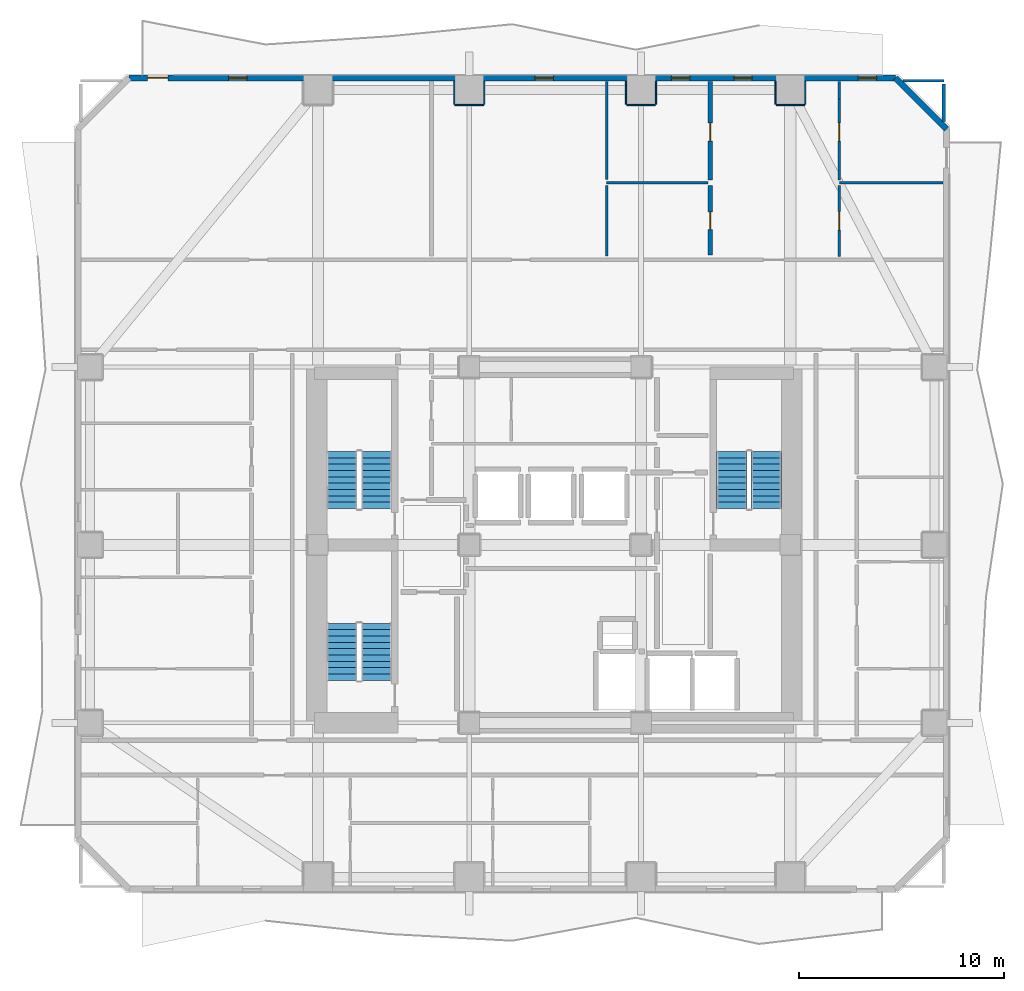
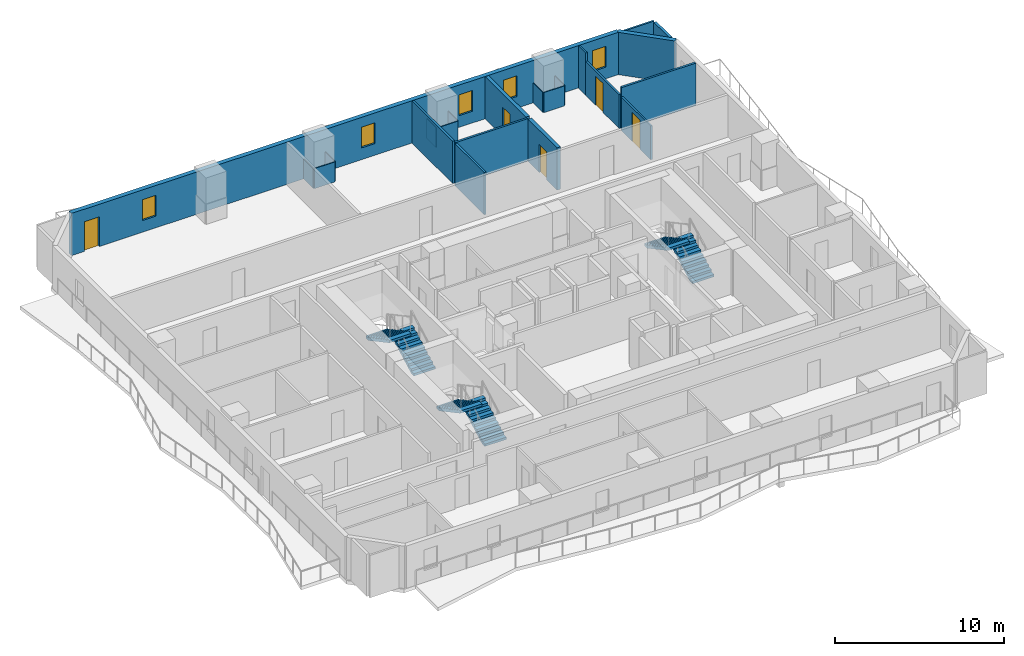
# One storey, part 6 of 10: 22 walls, 6 stair flights, 5 doors, 5 windows, 10 openings, 3 elements without a shape of their own.
"""IFC4 building model written with IfcOpenShell, lengths in metres."""

import ifcopenshell
import ifcopenshell.guid

model = None  # the IFC model being written
_history = None  # IfcOwnerHistory: only IFC2X3 demands one
_inside = {}  # id of a spatial element -> (the spatial element, [elements in it])
_under = {}  # id of a project, library or spatial element -> (it, [spatial elements below it])
_declared = {}  # id of a project -> (the project, [libraries it declares])
_typed = {}  # id of a type object -> (the type object, [elements of that type])
_made_of = {}  # id of a material, layer set ... -> (it, [elements and type objects made of it])


def new_model(schema):
    """Start an empty IFC model of exactly this schema.

    Asked for "IFC4X3", IfcOpenShell would pick the latest addendum, in which some entities
    have other attributes; the version numbers below select the first issue.
    IFC2X3 requires an IfcOwnerHistory on every rooted entity: one is made here for all.
    """
    global model, _history
    if schema == "IFC4X3":
        model = ifcopenshell.file(schema_version=(4, 3, 0, 0))
    else:
        model = ifcopenshell.file(schema=schema)
    _inside.clear()
    _under.clear()
    _declared.clear()
    _typed.clear()
    _made_of.clear()
    _history = None
    if model.schema == "IFC2X3":
        org = make("IfcOrganization", Name="unknown")
        user = make(
            "IfcPersonAndOrganization",
            ThePerson=make("IfcPerson", FamilyName="unknown"),
            TheOrganization=org,
        )
        app = make(
            "IfcApplication",
            ApplicationDeveloper=org,
            Version="unknown",
            ApplicationFullName="unknown",
            ApplicationIdentifier="unknown",
        )
        _history = make(
            "IfcOwnerHistory",
            OwningUser=user,
            OwningApplication=app,
            ChangeAction="ADDED",
            CreationDate=0,
        )
    return model


def make(cls, **values):
    """One entity of the class cls with the attributes given. An attribute that is None is left unset."""
    return model.create_entity(
        cls, **{name: value for name, value in values.items() if value is not None}
    )


def rooted(cls, **values):
    """An entity with a GlobalId (a new one), such as an element, a storey or a relation."""
    return make(cls, GlobalId=ifcopenshell.guid.new(), OwnerHistory=_history, **values)


def si_unit(unit_type, name, prefix=None):
    """IfcSIUnit, for example si_unit("LENGTHUNIT", "METRE", prefix="MILLI")."""
    return make("IfcSIUnit", UnitType=unit_type, Prefix=prefix, Name=name)


def assignment(units):
    """IfcUnitAssignment: the units of a project."""
    return None if units is None else make("IfcUnitAssignment", Units=units)


def point(xyz):
    """IfcCartesianPoint."""
    return None if xyz is None else make("IfcCartesianPoint", Coordinates=xyz)


def direction(xyz):
    """IfcDirection."""
    return None if xyz is None else make("IfcDirection", DirectionRatios=xyz)


def frame(location, z_axis=None, x_axis=None):
    """IfcAxis2Placement3D, a coordinate frame: its origin and axes. An axis left out is left unset."""
    return make(
        "IfcAxis2Placement3D",
        Location=point(location),
        Axis=direction(z_axis),
        RefDirection=direction(x_axis),
    )


def frame_2d(location, x_axis=None):
    """IfcAxis2Placement2D, a coordinate frame in the plane: its origin and x axis."""
    return make(
        "IfcAxis2Placement2D", Location=point(location), RefDirection=direction(x_axis)
    )


def origin():
    """The frame at (0, 0, 0) with its axes left unset."""
    return frame((0.0, 0.0, 0.0))


def place(relative_to, where):
    """IfcLocalPlacement: puts the frame where relative to a parent placement (None: the world)."""
    return make(
        "IfcLocalPlacement", PlacementRelTo=relative_to, RelativePlacement=where
    )


def context(
    kind, dimensions, precision=None, world=None, true_north=None, identifier=None
):
    """IfcGeometricRepresentationContext, for example the 3D "Model" context."""
    return make(
        "IfcGeometricRepresentationContext",
        ContextIdentifier=identifier,
        ContextType=kind,
        CoordinateSpaceDimension=dimensions,
        Precision=precision,
        WorldCoordinateSystem=world,
        TrueNorth=true_north,
    )


def subcontext(parent, identifier, kind, view, scale=None):
    """IfcGeometricRepresentationSubContext, for example "Body" below "Model"."""
    return make(
        "IfcGeometricRepresentationSubContext",
        ContextIdentifier=identifier,
        ContextType=kind,
        ParentContext=parent,
        TargetScale=scale,
        TargetView=view,
    )


def project(units=None, contexts=None):
    """IfcProject with its units and contexts."""
    return rooted(
        "IfcProject",
        Name="project",
        RepresentationContexts=contexts,
        UnitsInContext=assignment(units),
    )


def spatial(cls, under=None, at=None, **own):
    """A site, building, storey or space (cls), placed at a placement, below another one or the project."""
    s = rooted(cls, ObjectPlacement=at, **own)
    if under is not None:
        _under.setdefault(under.id(), (under, []))[1].append(s)
    return s


def polyline(points):
    """IfcPolyline through the points."""
    return make("IfcPolyline", Points=[point(p) for p in points])


def profile(cls, at=None, kind="AREA", **sizes):
    """A parametric profile (cls). Its sizes go by their IFC names, for example OverallWidth=200.0."""
    return make(cls, ProfileType=kind, Position=at, **sizes)


def rectangle(**sizes):
    """IfcRectangleProfileDef."""
    return profile("IfcRectangleProfileDef", **sizes)


def outline(outer, holes=None, kind="AREA"):
    """IfcArbitraryClosedProfileDef: a profile drawn as a closed curve; with holes, ...WithVoids."""
    if holes is None:
        return make("IfcArbitraryClosedProfileDef", ProfileType=kind, OuterCurve=outer)
    return make(
        "IfcArbitraryProfileDefWithVoids",
        ProfileType=kind,
        OuterCurve=outer,
        InnerCurves=holes,
    )


def extrude(swept, where, along, depth):
    """IfcExtrudedAreaSolid: the profile swept, set in the frame where, extruded along a direction by depth."""
    return make(
        "IfcExtrudedAreaSolid",
        SweptArea=swept,
        Position=where,
        ExtrudedDirection=direction(along),
        Depth=depth,
    )


def shape(context_of_items, identifier, shape_type, items):
    """IfcShapeRepresentation: the items that make up one representation, for example the "Body"."""
    return make(
        "IfcShapeRepresentation",
        ContextOfItems=context_of_items,
        RepresentationIdentifier=identifier,
        RepresentationType=shape_type,
        Items=items,
    )


def material(Name=None, Category=None):
    """IfcMaterial."""
    return make("IfcMaterial", Name=Name, Category=Category)


def layer(
    of_material, thickness, ventilated=None, Name=None, Category=None, Priority=None
):
    """IfcMaterialLayer: one layer of a wall or slab, of a material (None: an air gap)."""
    return make(
        "IfcMaterialLayer",
        Material=of_material,
        LayerThickness=thickness,
        IsVentilated=ventilated,
        Name=Name,
        Category=Category,
        Priority=Priority,
    )


def layer_set(layers, Name=None):
    """IfcMaterialLayerSet."""
    return make("IfcMaterialLayerSet", MaterialLayers=layers, LayerSetName=Name)


def made_of(thing, what):
    """Note that an element or type object is made of a material, layer set ...; save() writes the relation."""
    if what is not None:
        _made_of.setdefault(what.id(), (what, []))[1].append(thing)
    return thing


def type_object(cls, material=None, **own):
    """A type object (cls), such as IfcWallType, which elements share."""
    return made_of(rooted(cls, **own), material)


def element(
    cls,
    number,
    at=None,
    inside=None,
    cuts=None,
    type_object=None,
    material=None,
    context=None,
    identifier="Body",
    shape_type=None,
    held_by="IfcProductDefinitionShape",
    body=None,
    shapes=None,
    **own,
):
    """One element of the class cls, such as IfcWall. Its Tag is "e" and its number.

    at: its placement. inside: the storey or other place that contains it. cuts: it is an
    opening in that element (IfcRelVoidsElement). A single representation is given by context,
    identifier, shape_type and body (its items); several are given by shapes. held_by: the class
    of the entity that holds the representations. save() writes the other relations.
    """
    e = rooted(cls, Tag="e%d" % number, ObjectPlacement=at, **own)
    if body is not None:
        shapes = [shape(context, identifier, shape_type, body)]
    if shapes is not None:
        e.Representation = make(held_by, Representations=shapes)
    if inside is not None:
        _inside.setdefault(inside.id(), (inside, []))[1].append(e)
    if cuts is not None:
        rooted(
            "IfcRelVoidsElement", RelatingBuildingElement=cuts, RelatedOpeningElement=e
        )
    if type_object is not None:
        _typed.setdefault(type_object.id(), (type_object, []))[1].append(e)
    return made_of(e, material)


def fill(opening, filler):
    """IfcRelFillsElement: the door or window that sits in an opening."""
    return rooted(
        "IfcRelFillsElement",
        RelatingOpeningElement=opening,
        RelatedBuildingElement=filler,
    )


def aggregate(whole, parts):
    """IfcRelAggregates: a whole, such as a stair, and the parts it consists of."""
    return rooted("IfcRelAggregates", RelatingObject=whole, RelatedObjects=parts)


def save(model, path):
    """Write the relations noted so far, then the file.

    IfcRelAggregates (storeys below a building ...), IfcRelContainedInSpatialStructure (elements
    in a storey), IfcRelDefinesByType, IfcRelAssociatesMaterial and IfcRelDeclares: one each for
    every whole, place, type object, material and project.
    """
    for whole, parts in _under.values():
        aggregate(whole, parts)
    for where, things in _inside.values():
        rooted(
            "IfcRelContainedInSpatialStructure",
            RelatedElements=things,
            RelatingStructure=where,
        )
    for kind, things in _typed.values():
        rooted("IfcRelDefinesByType", RelatedObjects=things, RelatingType=kind)
    for what, things in _made_of.values():
        rooted("IfcRelAssociatesMaterial", RelatedObjects=things, RelatingMaterial=what)
    for by, libraries in _declared.values():
        rooted("IfcRelDeclares", RelatingContext=by, RelatedDefinitions=libraries)
    model.write(path)


model = new_model("IFC4")

# Units and contexts
model_context = context("Model", 3, precision=1e-05, world=origin(), true_north=direction((0.0, 1.0)))
body_context = subcontext(model_context, "Body", "Model", "MODEL_VIEW")
ifc_project = project(units=[si_unit("LENGTHUNIT", "METRE"), si_unit("AREAUNIT", "SQUARE_METRE"), si_unit("VOLUMEUNIT", "CUBIC_METRE"), si_unit("PLANEANGLEUNIT", "RADIAN"), si_unit("MASSUNIT", "GRAM", prefix="KILO")], contexts=[model_context])

# Site, building, storey
site_placement = place(None, origin())
site = spatial("IfcSite", under=ifc_project, at=site_placement, CompositionType="ELEMENT")
building_placement = place(site_placement, origin())
building = spatial("IfcBuilding", under=site, at=building_placement, Name="Solanera Arch Residences", CompositionType="ELEMENT")
storey_placement = place(building_placement, frame((0.0, 0.0, 99.43994140625)))
storey = spatial("IfcBuildingStorey", under=building, at=storey_placement, Name="L28", CompositionType="ELEMENT", Elevation=99.43994140625)

# Walls
ifc_material_1 = material(Name="Fire-Rated Gypsum Stud Partition", Category="gypsum")
ifc_layer_1 = layer(ifc_material_1, 0.06005859375)
ifc_layer_set_1 = layer_set([ifc_layer_1], Name="Fire-Rated Gypsum Stud Partition")
wall_type_1 = type_object("IfcWallType", Name="Column Acoustic Furring Wall 60", PredefinedType="PARTITIONING", material=ifc_layer_set_1)
wall_1_placement = place(storey_placement, frame((20.10009765625, 52.218017578125, 0.0), z_axis=(0.0, 0.0, 1.0), x_axis=(1.0, 0.0, 0.0)))
element("IfcWall", 1, at=wall_1_placement, inside=storey, type_object=wall_type_1, Name="L28 Column Furring 12S", PredefinedType="PARTITIONING", context=body_context, shape_type="SweptSolid", body=[
    extrude(rectangle(XDim=1.39990234375, YDim=0.06005859375, at=frame_2d((0.699951171875, 0.0))), origin(), (0.0, 0.0, 1.0), 1.449951171875),
])
for number, where, z_axis, x_axis, name in (
    (2, (20.068115234375, 52.25, 0.0), (0.0, 0.0, 1.0), (0.0, 1.0, 0.0), "L28 Column Furring 12W"),
    (3, (21.531982421875, 52.25, 0.0), (0.0, 0.0, 1.0), (0.0, 1.0, 0.0), "L28 Column Furring 12E"),
):
    element("IfcWall", number, at=place(storey_placement, frame(where, z_axis=z_axis, x_axis=x_axis)), inside=storey, type_object=wall_type_1, Name=name, PredefinedType="PARTITIONING", context=body_context, shape_type="SweptSolid", body=[
        extrude(rectangle(XDim=1.1201171875, YDim=0.06005859375, at=frame_2d((0.56005859375, 0.0))), origin(), (0.0, 0.0, 1.0), 1.449951171875),
    ])
wall_2_placement = place(storey_placement, frame((28.5, 52.218017578125, 0.0), z_axis=(0.0, 0.0, 1.0), x_axis=(1.0, 0.0, 0.0)))
element("IfcWall", 4, at=wall_2_placement, inside=storey, type_object=wall_type_1, Name="L28 Column Furring 14S", PredefinedType="PARTITIONING", context=body_context, shape_type="SweptSolid", body=[
    extrude(rectangle(XDim=1.39990234375, YDim=0.06005859375, at=frame_2d((0.699951171875, 0.0))), origin(), (0.0, 0.0, 1.0), 1.449951171875),
])
for number, where, z_axis, x_axis, name in (
    (5, (28.468017578125, 52.25, 0.0), (0.0, 0.0, 1.0), (0.0, 1.0, 0.0), "L28 Column Furring 14W"),
    (6, (29.931884765625, 52.25, 0.0), (0.0, 0.0, 1.0), (0.0, 1.0, 0.0), "L28 Column Furring 14E"),
):
    element("IfcWall", number, at=place(storey_placement, frame(where, z_axis=z_axis, x_axis=x_axis)), inside=storey, type_object=wall_type_1, Name=name, PredefinedType="PARTITIONING", context=body_context, shape_type="SweptSolid", body=[
        extrude(rectangle(XDim=1.1201171875, YDim=0.06005859375, at=frame_2d((0.56005859375, 0.0))), origin(), (0.0, 0.0, 1.0), 1.449951171875),
    ])
wall_3_placement = place(storey_placement, frame((35.800048828125, 52.218017578125, 0.0), z_axis=(0.0, 0.0, 1.0), x_axis=(1.0, 0.0, 0.0)))
element("IfcWall", 7, at=wall_3_placement, inside=storey, type_object=wall_type_1, Name="L28 Column Furring 16S", PredefinedType="PARTITIONING", context=body_context, shape_type="SweptSolid", body=[
    extrude(rectangle(XDim=1.39990234375, YDim=0.06005859375, at=frame_2d((0.699951171875, 0.0))), origin(), (0.0, 0.0, 1.0), 1.449951171875),
])
for number, where, z_axis, x_axis, name in (
    (8, (35.76806640625, 52.25, 0.0), (0.0, 0.0, 1.0), (0.0, 1.0, 0.0), "L28 Column Furring 16W"),
    (9, (37.23193359375, 52.25, 0.0), (0.0, 0.0, 1.0), (0.0, 1.0, 0.0), "L28 Column Furring 16E"),
):
    element("IfcWall", number, at=place(storey_placement, frame(where, z_axis=z_axis, x_axis=x_axis)), inside=storey, type_object=wall_type_1, Name=name, PredefinedType="PARTITIONING", context=body_context, shape_type="SweptSolid", body=[
        extrude(rectangle(XDim=1.1201171875, YDim=0.06005859375, at=frame_2d((0.56005859375, 0.0))), origin(), (0.0, 0.0, 1.0), 1.449951171875),
    ])
ifc_material_2 = material(Name="Autoclaved Aerated Concrete Blockwork", Category="masonry")
ifc_layer_2 = layer(ifc_material_2, 0.179931640625)
ifc_layer_set_2 = layer_set([ifc_layer_2], Name="Autoclaved Aerated Concrete Blockwork")
wall_type_2 = type_object("IfcWallType", Name="Corridor Fire Partition 180", PredefinedType="PARTITIONING", material=ifc_layer_set_2)
wall_4_placement = place(storey_placement, frame((44.0, 51.39892578125, 0.0), z_axis=(0.0, 0.0, 1.0), x_axis=(0.0, 1.0, 0.0)))
element("IfcWall", 10, at=wall_4_placement, inside=storey, type_object=wall_type_2, Name="L28 Interior Partition V15 2", PredefinedType="PARTITIONING", context=body_context, shape_type="SweptSolid", body=[
    extrude(rectangle(XDim=1.843017578125, YDim=0.179931640625, at=frame_2d((0.92138671875, 0.0))), origin(), (0.0, 0.0, 1.0), 3.06005859375),
])

# Wall, openings, door, windows
ifc_material_3 = material(Name="Precast Concrete C35/45", Category="concrete")
ifc_layer_3 = layer(ifc_material_3, 0.300048828125)
ifc_layer_set_3 = layer_set([ifc_layer_3], Name="Precast Concrete C35/45")
wall_type_3 = type_object("IfcWallType", Name="Exterior Wall Precast Masonry-Frame 300", PredefinedType="STANDARD", material=ifc_layer_set_3)
wall_5_placement = place(storey_placement, frame((4.1650390625, 53.534912109375, 0.0), z_axis=(0.0, 0.0, 1.0), x_axis=(1.0, 0.0, 0.0)))
wall_5 = element("IfcWall", 11, at=wall_5_placement, inside=storey, type_object=wall_type_3, Name="L28 Tower Exterior Precast Masonry-Frame Wall N", PredefinedType="STANDARD", context=body_context, shape_type="SweptSolid", body=[
    extrude(rectangle(XDim=37.469970703125, YDim=0.300048828125, at=frame_2d((18.73486328125, 0.0))), origin(), (0.0, 0.0, 1.0), 3.06005859375),
])
opening_1_placement = place(wall_5_placement, frame((0.90087890625, 0.0, 0.0)))
opening_1 = element("IfcOpeningElement", 12, at=opening_1_placement, cuts=wall_5, Name="Opening DB-01", PredefinedType="OPENING", context=body_context, shape_type="SweptSolid", body=[
    extrude(rectangle(XDim=1.0, YDim=2.14990234375, at=frame_2d((0.5, 1.074951171875))), frame((0.0, 0.159912109375, 0.0), z_axis=(0.0, -1.0, 0.0), x_axis=(1.0, 0.0, 0.0)), (0.0, 0.0, 1.0), 0.32),
])
opening_2_placement = place(wall_5_placement, frame((4.867919921875, 0.0, 0.85009765625)))
opening_2 = element("IfcOpeningElement", 13, at=opening_2_placement, cuts=wall_5, Name="Opening W-06", PredefinedType="OPENING", context=body_context, shape_type="SweptSolid", body=[
    extrude(rectangle(XDim=0.89990234375, YDim=1.5, at=frame_2d((0.449951171875, 0.75))), frame((0.0, 0.159912109375, 0.0), z_axis=(0.0, -1.0, 0.0), x_axis=(1.0, 0.0, 0.0)), (0.0, 0.0, 1.0), 0.32),
])
opening_3_placement = place(wall_5_placement, frame((19.844970703125, 0.0, 0.85009765625)))
opening_3 = element("IfcOpeningElement", 14, at=opening_3_placement, cuts=wall_5, Name="Opening W-06", PredefinedType="OPENING", context=body_context, shape_type="SweptSolid", body=[
    extrude(rectangle(XDim=0.89990234375, YDim=1.5, at=frame_2d((0.449951171875, 0.75))), frame((0.0, 0.159912109375, 0.0), z_axis=(0.0, -1.0, 0.0), x_axis=(1.0, 0.0, 0.0)), (0.0, 0.0, 1.0), 0.32),
])
opening_4_placement = place(wall_5_placement, frame((29.56689453125, 0.0, 0.85009765625)))
opening_4 = element("IfcOpeningElement", 15, at=opening_4_placement, cuts=wall_5, Name="Opening W-06", PredefinedType="OPENING", context=body_context, shape_type="SweptSolid", body=[
    extrude(rectangle(XDim=0.89990234375, YDim=1.5, at=frame_2d((0.449951171875, 0.75))), frame((0.0, 0.159912109375, 0.0), z_axis=(0.0, -1.0, 0.0), x_axis=(1.0, 0.0, 0.0)), (0.0, 0.0, 1.0), 0.32),
])
opening_5_placement = place(wall_5_placement, frame((26.51708984375, 0.0, 0.85009765625)))
opening_5 = element("IfcOpeningElement", 16, at=opening_5_placement, cuts=wall_5, Name="Opening W-06", PredefinedType="OPENING", context=body_context, shape_type="SweptSolid", body=[
    extrude(rectangle(XDim=0.89990234375, YDim=1.5, at=frame_2d((0.449951171875, 0.75))), frame((0.0, 0.159912109375, 0.0), z_axis=(0.0, -1.0, 0.0), x_axis=(1.0, 0.0, 0.0)), (0.0, 0.0, 1.0), 0.32),
])
opening_6_placement = place(wall_5_placement, frame((35.653076171875, 0.0, 0.85009765625)))
opening_6 = element("IfcOpeningElement", 17, at=opening_6_placement, cuts=wall_5, Name="Opening W-06", PredefinedType="OPENING", context=body_context, shape_type="SweptSolid", body=[
    extrude(rectangle(XDim=0.89990234375, YDim=1.5, at=frame_2d((0.449951171875, 0.75))), frame((0.0, 0.159912109375, 0.0), z_axis=(0.0, -1.0, 0.0), x_axis=(1.0, 0.0, 0.0)), (0.0, 0.0, 1.0), 0.32),
])
ifc_material_4 = material(Name="Anodised Aluminium Alloy 6063-T6", Category="aluminium")
door_type_1 = type_object("IfcDoorType", Name="Glazed Balcony Swing Door DB-01", OperationType="NOTDEFINED", PredefinedType="DOOR", material=ifc_material_4)
door_1_placement = place(opening_1_placement, origin())
door_1 = element("IfcDoor", 18, at=door_1_placement, inside=storey, type_object=door_type_1, Name="DR-L28-OUT-02", OperationType="SINGLE_SWING_LEFT", OverallHeight=2.14990234375, OverallWidth=1.0, PredefinedType="DOOR", context=body_context, shape_type="SweptSolid", body=[
    extrude(rectangle(XDim=1.0, YDim=2.14990234375, at=frame_2d((0.5, 1.074951171875))), frame((0.0, 0.02490234375, 0.0), z_axis=(0.0, -1.0, 0.0), x_axis=(1.0, 0.0, 0.0)), (0.0, 0.0, 1.0), 0.050048828125),
])
fill(opening_1, door_1)
ifc_material_5 = material(Name="Double Glazed Low-E Laminated Glass", Category="glass")
window_type = type_object("IfcWindowType", Name="Punched Window W-06", PartitioningType="SINGLE_PANEL", PredefinedType="WINDOW", material=ifc_material_5)
window_1_placement = place(opening_2_placement, origin())
window_1 = element("IfcWindow", 19, at=window_1_placement, inside=storey, type_object=window_type, Name="L28 AMN-MTG1 Punched Window", OverallHeight=1.5, OverallWidth=0.89990234375, PartitioningType="SINGLE_PANEL", PredefinedType="WINDOW", context=body_context, shape_type="SweptSolid", body=[
    extrude(rectangle(XDim=0.89990234375, YDim=1.5, at=frame_2d((0.449951171875, 0.75))), frame((0.0, 0.030029296875, 0.0), z_axis=(0.0, -1.0, 0.0), x_axis=(1.0, 0.0, 0.0)), (0.0, 0.0, 1.0), 0.06005859375),
])
fill(opening_2, window_1)
window_2_placement = place(opening_3_placement, origin())
window_2 = element("IfcWindow", 20, at=window_2_placement, inside=storey, type_object=window_type, Name="L28 AMN-MTG2 Punched Window", OverallHeight=1.5, OverallWidth=0.89990234375, PartitioningType="SINGLE_PANEL", PredefinedType="WINDOW", context=body_context, shape_type="SweptSolid", body=[
    extrude(rectangle(XDim=0.89990234375, YDim=1.5, at=frame_2d((0.449951171875, 0.75))), frame((0.0, 0.030029296875, 0.0), z_axis=(0.0, -1.0, 0.0), x_axis=(1.0, 0.0, 0.0)), (0.0, 0.0, 1.0), 0.06005859375),
])
fill(opening_3, window_2)
window_3_placement = place(opening_4_placement, origin())
window_3 = element("IfcWindow", 21, at=window_3_placement, inside=storey, type_object=window_type, Name="L28 2802-LIV Punched Window", OverallHeight=1.5, OverallWidth=0.89990234375, PartitioningType="SINGLE_PANEL", PredefinedType="WINDOW", context=body_context, shape_type="SweptSolid", body=[
    extrude(rectangle(XDim=0.89990234375, YDim=1.5, at=frame_2d((0.449951171875, 0.75))), frame((0.0, 0.030029296875, 0.0), z_axis=(0.0, -1.0, 0.0), x_axis=(1.0, 0.0, 0.0)), (0.0, 0.0, 1.0), 0.06005859375),
])
fill(opening_4, window_3)
window_4_placement = place(opening_5_placement, origin())
window_4 = element("IfcWindow", 22, at=window_4_placement, inside=storey, type_object=window_type, Name="L28 2802-BR1 Punched Window", OverallHeight=1.5, OverallWidth=0.89990234375, PartitioningType="SINGLE_PANEL", PredefinedType="WINDOW", context=body_context, shape_type="SweptSolid", body=[
    extrude(rectangle(XDim=0.89990234375, YDim=1.5, at=frame_2d((0.449951171875, 0.75))), frame((0.0, 0.030029296875, 0.0), z_axis=(0.0, -1.0, 0.0), x_axis=(1.0, 0.0, 0.0)), (0.0, 0.0, 1.0), 0.06005859375),
])
fill(opening_5, window_4)
window_5_placement = place(opening_6_placement, origin())
window_5 = element("IfcWindow", 23, at=window_5_placement, inside=storey, type_object=window_type, Name="L28 2802-BR2 Punched Window", OverallHeight=1.5, OverallWidth=0.89990234375, PartitioningType="SINGLE_PANEL", PredefinedType="WINDOW", context=body_context, shape_type="SweptSolid", body=[
    extrude(rectangle(XDim=0.89990234375, YDim=1.5, at=frame_2d((0.449951171875, 0.75))), frame((0.0, 0.030029296875, 0.0), z_axis=(0.0, -1.0, 0.0), x_axis=(1.0, 0.0, 0.0)), (0.0, 0.0, 1.0), 0.06005859375),
])
fill(opening_6, window_5)

# Wall
wall_6_placement = place(storey_placement, frame((41.635009765625, 53.534912109375, 0.0), z_axis=(0.0, 0.0, 1.0), x_axis=(0.707106781187, -0.707106781187, 0.0)))
element("IfcWall", 24, at=wall_6_placement, inside=storey, type_object=wall_type_3, Name="L28 Tower Exterior Precast Masonry-Frame Wall CH3", PredefinedType="STANDARD", context=body_context, shape_type="SweptSolid", body=[
    extrude(rectangle(XDim=3.53564453125, YDim=0.300048828125, at=frame_2d((1.767822265625, 0.0))), origin(), (0.0, 0.0, 1.0), 3.06005859375),
])

# Wall, opening, door
ifc_material_6 = material(Name="Autoclaved Aerated Concrete Blockwork", Category="masonry")
ifc_layer_4 = layer(ifc_material_6, 0.239990234375)
ifc_layer_set_4 = layer_set([ifc_layer_4], Name="Autoclaved Aerated Concrete Blockwork")
wall_type_4 = type_object("IfcWallType", Name="Shaft Wall Fire-Rated 240", PredefinedType="PARTITIONING", material=ifc_layer_set_4)
wall_7_placement = place(storey_placement, frame((32.580078125, 44.867919921875, 0.0), z_axis=(0.0, 0.0, 1.0), x_axis=(0.0, 1.0, 0.0)))
wall_7 = element("IfcWall", 25, at=wall_7_placement, inside=storey, type_object=wall_type_4, Name="L28 Interior Partition V6 1", PredefinedType="PARTITIONING", context=body_context, shape_type="SweptSolid", body=[
    extrude(rectangle(XDim=3.421142578125, YDim=0.239990234375, at=frame_2d((1.71044921875, 0.0))), origin(), (0.0, 0.0, 1.0), 3.06005859375),
])
opening_7_placement = place(wall_7_placement, frame((1.24609375, 0.0, 0.0)))
opening_7 = element("IfcOpeningElement", 26, at=opening_7_placement, cuts=wall_7, Name="Opening DI-05", PredefinedType="OPENING", context=body_context, shape_type="SweptSolid", body=[
    extrude(rectangle(XDim=0.860107421875, YDim=2.02001953125, at=frame_2d((0.43017578125, 1.010009765625))), frame((0.0, 0.1298828125, 0.0), z_axis=(0.0, -1.0, 0.0), x_axis=(1.0, 0.0, 0.0)), (0.0, 0.0, 1.0), 0.26),
])
ifc_material_7 = material(Name="Fire-Rated Architectural Hardwood", Category="wood")
door_type_2 = type_object("IfcDoorType", Name="Bathroom Swing Door DI-05", OperationType="NOTDEFINED", PredefinedType="DOOR", material=ifc_material_7)
door_2_placement = place(opening_7_placement, origin())
door_2 = element("IfcDoor", 27, at=door_2_placement, inside=storey, type_object=door_type_2, Name="DR-L28-IN-027", OperationType="SINGLE_SWING_RIGHT", OverallHeight=2.02001953125, OverallWidth=0.860107421875, PredefinedType="DOOR", context=body_context, shape_type="SweptSolid", body=[
    extrude(rectangle(XDim=0.860107421875, YDim=2.02001953125, at=frame_2d((0.43017578125, 1.010009765625))), frame((0.0, 0.02490234375, 0.0), z_axis=(0.0, -1.0, 0.0), x_axis=(1.0, 0.0, 0.0)), (0.0, 0.0, 1.0), 0.050048828125),
])
fill(opening_7, door_2)

wall_8_placement = place(storey_placement, frame((32.580078125, 48.537109375, 0.0), z_axis=(0.0, 0.0, 1.0), x_axis=(0.0, 1.0, 0.0)))
wall_8 = element("IfcWall", 28, at=wall_8_placement, inside=storey, type_object=wall_type_4, Name="L28 Interior Partition V6 2", PredefinedType="PARTITIONING", context=body_context, shape_type="SweptSolid", body=[
    extrude(rectangle(XDim=4.8359375, YDim=0.239990234375, at=frame_2d((2.41796875, 0.0))), origin(), (0.0, 0.0, 1.0), 3.06005859375),
])
opening_8_placement = place(wall_8_placement, frame((1.906982421875, 0.0, 0.0)))
opening_8 = element("IfcOpeningElement", 29, at=opening_8_placement, cuts=wall_8, Name="Opening DI-03", PredefinedType="OPENING", context=body_context, shape_type="SweptSolid", body=[
    extrude(rectangle(XDim=0.89990234375, YDim=2.10009765625, at=frame_2d((0.449951171875, 1.050048828125))), frame((0.0, 0.1298828125, 0.0), z_axis=(0.0, -1.0, 0.0), x_axis=(1.0, 0.0, 0.0)), (0.0, 0.0, 1.0), 0.26),
])
ifc_material_8 = material(Name="Fire-Rated Architectural Hardwood", Category="wood")
door_type_3 = type_object("IfcDoorType", Name="Bedroom Swing Door DI-03", OperationType="NOTDEFINED", PredefinedType="DOOR", material=ifc_material_8)
door_3_placement = place(opening_8_placement, origin())
door_3 = element("IfcDoor", 30, at=door_3_placement, inside=storey, type_object=door_type_3, Name="DR-L28-IN-028", OperationType="SINGLE_SWING_LEFT", OverallHeight=2.10009765625, OverallWidth=0.89990234375, PredefinedType="DOOR", context=body_context, shape_type="SweptSolid", body=[
    extrude(rectangle(XDim=0.89990234375, YDim=2.10009765625, at=frame_2d((0.449951171875, 1.050048828125))), frame((0.0, 0.02490234375, 0.0), z_axis=(0.0, -1.0, 0.0), x_axis=(1.0, 0.0, 0.0)), (0.0, 0.0, 1.0), 0.050048828125),
])
fill(opening_8, door_3)

# Wall
ifc_material_9 = material(Name="Fire-Rated Gypsum Stud Partition", Category="gypsum")
ifc_layer_5 = layer(ifc_material_9, 0.1201171875)
ifc_layer_set_5 = layer_set([ifc_layer_5], Name="Fire-Rated Gypsum Stud Partition")
wall_type_5 = type_object("IfcWallType", Name="Unit Drywall Partition 120", PredefinedType="PARTITIONING", material=ifc_layer_set_5)
wall_9_placement = place(storey_placement, frame((41.9990234375, 53.39990234375, 0.0), z_axis=(0.0, 0.0, 1.0), x_axis=(1.0, 0.0, 0.0)))
element("IfcWall", 31, at=wall_9_placement, inside=storey, type_object=wall_type_5, Name="L28 Interior Partition H26 2", PredefinedType="PARTITIONING", context=body_context, shape_type="SweptSolid", body=[
    extrude(rectangle(XDim=2.0009765625, YDim=0.1201171875, at=frame_2d((1.00048828125, 0.0))), origin(), (0.0, 0.0, 1.0), 3.06005859375),
])

# Wall, opening, door
wall_10_placement = place(storey_placement, frame((38.89111328125, 44.80810546875, 0.0), z_axis=(0.0, 0.0, 1.0), x_axis=(0.0, 1.0, 0.0)))
wall_10 = element("IfcWall", 32, at=wall_10_placement, inside=storey, type_object=wall_type_5, Name="L28 Interior Partition V23 1", PredefinedType="PARTITIONING", context=body_context, shape_type="SweptSolid", body=[
    extrude(rectangle(XDim=3.466796875, YDim=0.1201171875, at=frame_2d((1.7333984375, 0.0))), origin(), (0.0, 0.0, 1.0), 2.445068359375),
])
opening_9_placement = place(wall_10_placement, frame((1.285888671875, 0.0, 0.0)))
opening_9 = element("IfcOpeningElement", 33, at=opening_9_placement, cuts=wall_10, Name="Opening DI-02", PredefinedType="OPENING", context=body_context, shape_type="SweptSolid", body=[
    extrude(rectangle(XDim=0.89990234375, YDim=2.10009765625, at=frame_2d((0.449951171875, 1.050048828125))), frame((0.0, 0.070068359375, 0.0), z_axis=(0.0, -1.0, 0.0), x_axis=(1.0, 0.0, 0.0)), (0.0, 0.0, 1.0), 0.1401),
])
ifc_material_10 = material(Name="Fire-Rated Architectural Hardwood", Category="wood")
door_type_4 = type_object("IfcDoorType", Name="Suite Room Swing Door DI-02", OperationType="NOTDEFINED", PredefinedType="DOOR", material=ifc_material_10)
door_4_placement = place(opening_9_placement, origin())
door_4 = element("IfcDoor", 34, at=door_4_placement, inside=storey, type_object=door_type_4, Name="DR-L28-IN-029", OperationType="SINGLE_SWING_RIGHT", OverallHeight=2.10009765625, OverallWidth=0.89990234375, PredefinedType="DOOR", context=body_context, shape_type="SweptSolid", body=[
    extrude(rectangle(XDim=0.89990234375, YDim=2.10009765625, at=frame_2d((0.449951171875, 1.050048828125))), frame((0.0, 0.02490234375, 0.0), z_axis=(0.0, -1.0, 0.0), x_axis=(1.0, 0.0, 0.0)), (0.0, 0.0, 1.0), 0.050048828125),
])
fill(opening_9, door_4)

wall_11_placement = place(storey_placement, frame((38.89111328125, 48.551025390625, 0.0), z_axis=(0.0, 0.0, 1.0), x_axis=(0.0, 1.0, 0.0)))
wall_11 = element("IfcWall", 35, at=wall_11_placement, inside=storey, type_object=wall_type_5, Name="L28 Interior Partition V23 2", PredefinedType="PARTITIONING", context=body_context, shape_type="SweptSolid", body=[
    extrude(rectangle(XDim=3.9599609375, YDim=0.1201171875, at=frame_2d((1.97998046875, 0.0))), origin(), (0.0, 0.0, 1.0), 2.445068359375),
])
opening_10_placement = place(wall_11_placement, frame((1.89306640625, 0.0, 0.0)))
opening_10 = element("IfcOpeningElement", 36, at=opening_10_placement, cuts=wall_11, Name="Opening DI-03", PredefinedType="OPENING", context=body_context, shape_type="SweptSolid", body=[
    extrude(rectangle(XDim=0.89990234375, YDim=2.10009765625, at=frame_2d((0.449951171875, 1.050048828125))), frame((0.0, 0.070068359375, 0.0), z_axis=(0.0, -1.0, 0.0), x_axis=(1.0, 0.0, 0.0)), (0.0, 0.0, 1.0), 0.1401),
])
door_5_placement = place(opening_10_placement, origin())
door_5 = element("IfcDoor", 37, at=door_5_placement, inside=storey, type_object=door_type_3, Name="DR-L28-IN-030", OperationType="SINGLE_SWING_LEFT", OverallHeight=2.10009765625, OverallWidth=0.89990234375, PredefinedType="DOOR", context=body_context, shape_type="SweptSolid", body=[
    extrude(rectangle(XDim=0.89990234375, YDim=2.10009765625, at=frame_2d((0.449951171875, 1.050048828125))), frame((0.0, 0.02490234375, 0.0), z_axis=(0.0, -1.0, 0.0), x_axis=(1.0, 0.0, 0.0)), (0.0, 0.0, 1.0), 0.050048828125),
])
fill(opening_10, door_5)

# Walls
wall_12_placement = place(storey_placement, frame((38.89111328125, 52.510986328125, 0.0), z_axis=(0.0, 0.0, 1.0), x_axis=(0.0, 1.0, 0.0)))
element("IfcWall", 38, at=wall_12_placement, inside=storey, type_object=wall_type_5, Name="L28 Interior Partition V23 3", PredefinedType="PARTITIONING", context=body_context, shape_type="SweptSolid", body=[
    extrude(rectangle(XDim=0.862060546875, YDim=0.1201171875, at=frame_2d((0.43115234375, 0.0))), origin(), (0.0, 0.0, 1.0), 3.06005859375),
])
ifc_material_11 = material(Name="Autoclaved Aerated Concrete Blockwork", Category="masonry")
ifc_layer_6 = layer(ifc_material_11, 0.139892578125)
ifc_layer_set_6 = layer_set([ifc_layer_6], Name="Autoclaved Aerated Concrete Blockwork")
wall_type_6 = type_object("IfcWallType", Name="Wet-Room Partition 140", PredefinedType="PARTITIONING", material=ifc_layer_set_6)
wall_13_placement = place(storey_placement, frame((27.52001953125, 48.4130859375, 0.0), z_axis=(0.0, 0.0, 1.0), x_axis=(1.0, 0.0, 0.0)))
element("IfcWall", 39, at=wall_13_placement, inside=storey, type_object=wall_type_6, Name="L28 Interior Partition H19", PredefinedType="PARTITIONING", context=body_context, shape_type="SweptSolid", body=[
    extrude(rectangle(XDim=4.944091796875, YDim=0.139892578125, at=frame_2d((2.47216796875, 0.0))), origin(), (0.0, 0.0, 1.0), 3.06005859375),
])
wall_14_placement = place(storey_placement, frame((38.89111328125, 48.4130859375, 0.0), z_axis=(0.0, 0.0, 1.0), x_axis=(1.0, 0.0, 0.0)))
element("IfcWall", 40, at=wall_14_placement, inside=storey, type_object=wall_type_6, Name="L28 Interior Partition H20", PredefinedType="PARTITIONING", context=body_context, shape_type="SweptSolid", body=[
    extrude(rectangle(XDim=5.081787109375, YDim=0.139892578125, at=frame_2d((2.541015625, 0.0))), origin(), (0.0, 0.0, 1.0), 3.06005859375),
])
wall_15_placement = place(storey_placement, frame((27.52001953125, 44.818115234375, 0.0), z_axis=(0.0, 0.0, 1.0), x_axis=(0.0, 1.0, 0.0)))
element("IfcWall", 41, at=wall_15_placement, inside=storey, type_object=wall_type_6, Name="L28 Interior Partition V18 1", PredefinedType="PARTITIONING", context=body_context, shape_type="SweptSolid", body=[
    extrude(rectangle(XDim=3.44677734375, YDim=0.139892578125, at=frame_2d((1.723388671875, 0.0))), origin(), (0.0, 0.0, 1.0), 3.06005859375),
])
wall_16_placement = place(storey_placement, frame((27.52001953125, 48.56103515625, 0.0), z_axis=(0.0, 0.0, 1.0), x_axis=(0.0, 1.0, 0.0)))
element("IfcWall", 42, at=wall_16_placement, inside=storey, type_object=wall_type_6, Name="L28 Interior Partition V18 2", PredefinedType="PARTITIONING", context=body_context, shape_type="SweptSolid", body=[
    extrude(rectangle(XDim=4.81201171875, YDim=0.139892578125, at=frame_2d((2.406005859375, 0.0))), origin(), (0.0, 0.0, 1.0), 3.06005859375),
])

# Stair, stair flights
ifc_material_12 = material(Name="Concrete C40/50 (f'c = 45 MPa)", Category="concrete")
stair_type = type_object("IfcStairType", Name="Tower Dogleg Exit Stair 1480", PredefinedType="HALF_TURN_STAIR", material=ifc_material_12)
stair_1_placement = place(storey_placement, origin())
stair_1 = element("IfcStair", 43, at=stair_1_placement, inside=storey, type_object=stair_type, Name="L28 Tower Core Exit Stair 1", PredefinedType="HALF_TURN_STAIR")
ifc_material_13 = material(Name="Concrete C40/50 (f'c = 45 MPa)", Category="concrete")
stair_flight_type = type_object("IfcStairFlightType", Name="Tower Precast Stair Flight 1480", PredefinedType="STRAIGHT", material=ifc_material_13)
stair_flight_1_placement = place(storey_placement, frame((16.260009765625, 32.47998046875, 0.0), z_axis=(0.0, 0.0, 1.0), x_axis=(0.0, 1.0, 0.0)))
stair_flight_1 = element("IfcStairFlight", 44, at=stair_flight_1_placement, type_object=stair_flight_type, Name="ST-T1 flight 1", NumberOfRisers=10, NumberOfTreads=9, PredefinedType="STRAIGHT", RiserHeight=0.166, TreadLength=0.31, context=body_context, shape_type="SweptSolid", body=[
    extrude(outline(polyline([(0.0, 0.0), (0.0, 0.166015625), (0.31005859375, 0.166015625), (0.31005859375, 0.33203125), (0.6201171875, 0.33203125), (0.6201171875, 0.498046875), (0.929931640625, 0.498046875), (0.929931640625, 0.6640625), (1.239990234375, 0.6640625), (1.239990234375, 0.830078125), (1.550048828125, 0.830078125), (1.550048828125, 0.99609375), (1.860107421875, 0.99609375), (1.860107421875, 1.162109375), (2.169921875, 1.162109375), (2.169921875, 1.327880859375), (2.47998046875, 1.327880859375), (2.47998046875, 1.493896484375), (2.7900390625, 1.493896484375), (2.7900390625, 1.659912109375), (2.7900390625, 1.323974609375), (0.317626953125, 0.0), (0.0, 0.0)])), frame((0.0, 0.739990234375, 0.0), z_axis=(0.0, -1.0, 0.0), x_axis=(1.0, 0.0, 0.0)), (0.0, 0.0, 1.0), 1.47998046875),
])
stair_flight_2_placement = place(storey_placement, frame((14.580078125, 35.27001953125, 1.66015625), z_axis=(0.0, 0.0, 1.0), x_axis=(0.0, -1.0, 0.0)))
stair_flight_2 = element("IfcStairFlight", 45, at=stair_flight_2_placement, type_object=stair_flight_type, Name="ST-T1 flight 2", NumberOfRisers=10, NumberOfTreads=9, PredefinedType="STRAIGHT", RiserHeight=0.166, TreadLength=0.31, context=body_context, shape_type="SweptSolid", body=[
    extrude(outline(polyline([(0.0, 0.0), (0.0, 0.166015625), (0.31005859375, 0.166015625), (0.31005859375, 0.33203125), (0.6201171875, 0.33203125), (0.6201171875, 0.498046875), (0.929931640625, 0.498046875), (0.929931640625, 0.6640625), (1.239990234375, 0.6640625), (1.239990234375, 0.830078125), (1.550048828125, 0.830078125), (1.550048828125, 0.99609375), (1.860107421875, 0.99609375), (1.860107421875, 1.162109375), (2.169921875, 1.162109375), (2.169921875, 1.327880859375), (2.47998046875, 1.327880859375), (2.47998046875, 1.493896484375), (2.7900390625, 1.493896484375), (2.7900390625, 1.659912109375), (2.7900390625, 1.323974609375), (0.317626953125, 0.0), (0.0, 0.0)])), frame((0.0, 0.739990234375, 0.0), z_axis=(0.0, -1.0, 0.0), x_axis=(1.0, 0.0, 0.0)), (0.0, 0.0, 1.0), 1.47998046875),
])
aggregate(stair_1, [stair_flight_1, stair_flight_2])

stair_2_placement = place(storey_placement, origin())
stair_2 = element("IfcStair", 46, at=stair_2_placement, inside=storey, type_object=stair_type, Name="L28 Tower Core Exit Stair 2", PredefinedType="HALF_TURN_STAIR")
stair_flight_3_placement = place(storey_placement, frame((35.320068359375, 32.47998046875, 0.0), z_axis=(0.0, 0.0, 1.0), x_axis=(0.0, 1.0, 0.0)))
stair_flight_3 = element("IfcStairFlight", 47, at=stair_flight_3_placement, type_object=stair_flight_type, Name="ST-T2 flight 1", NumberOfRisers=10, NumberOfTreads=9, PredefinedType="STRAIGHT", RiserHeight=0.166, TreadLength=0.31, context=body_context, shape_type="SweptSolid", body=[
    extrude(outline(polyline([(0.0, 0.0), (0.0, 0.166015625), (0.31005859375, 0.166015625), (0.31005859375, 0.33203125), (0.6201171875, 0.33203125), (0.6201171875, 0.498046875), (0.929931640625, 0.498046875), (0.929931640625, 0.6640625), (1.239990234375, 0.6640625), (1.239990234375, 0.830078125), (1.550048828125, 0.830078125), (1.550048828125, 0.99609375), (1.860107421875, 0.99609375), (1.860107421875, 1.162109375), (2.169921875, 1.162109375), (2.169921875, 1.327880859375), (2.47998046875, 1.327880859375), (2.47998046875, 1.493896484375), (2.7900390625, 1.493896484375), (2.7900390625, 1.659912109375), (2.7900390625, 1.323974609375), (0.317626953125, 0.0), (0.0, 0.0)])), frame((0.0, 0.739990234375, 0.0), z_axis=(0.0, -1.0, 0.0), x_axis=(1.0, 0.0, 0.0)), (0.0, 0.0, 1.0), 1.47998046875),
])
stair_flight_4_placement = place(storey_placement, frame((33.639892578125, 35.27001953125, 1.66015625), z_axis=(0.0, 0.0, 1.0), x_axis=(0.0, -1.0, 0.0)))
stair_flight_4 = element("IfcStairFlight", 48, at=stair_flight_4_placement, type_object=stair_flight_type, Name="ST-T2 flight 2", NumberOfRisers=10, NumberOfTreads=9, PredefinedType="STRAIGHT", RiserHeight=0.166, TreadLength=0.31, context=body_context, shape_type="SweptSolid", body=[
    extrude(outline(polyline([(0.0, 0.0), (0.0, 0.166015625), (0.31005859375, 0.166015625), (0.31005859375, 0.33203125), (0.6201171875, 0.33203125), (0.6201171875, 0.498046875), (0.929931640625, 0.498046875), (0.929931640625, 0.6640625), (1.239990234375, 0.6640625), (1.239990234375, 0.830078125), (1.550048828125, 0.830078125), (1.550048828125, 0.99609375), (1.860107421875, 0.99609375), (1.860107421875, 1.162109375), (2.169921875, 1.162109375), (2.169921875, 1.327880859375), (2.47998046875, 1.327880859375), (2.47998046875, 1.493896484375), (2.7900390625, 1.493896484375), (2.7900390625, 1.659912109375), (2.7900390625, 1.323974609375), (0.317626953125, 0.0), (0.0, 0.0)])), frame((0.0, 0.739990234375, 0.0), z_axis=(0.0, -1.0, 0.0), x_axis=(1.0, 0.0, 0.0)), (0.0, 0.0, 1.0), 1.47998046875),
])
aggregate(stair_2, [stair_flight_3, stair_flight_4])

stair_3_placement = place(storey_placement, origin())
stair_3 = element("IfcStair", 49, at=stair_3_placement, inside=storey, type_object=stair_type, Name="L28 Tower Core Exit Stair 3", PredefinedType="HALF_TURN_STAIR")
stair_flight_5_placement = place(storey_placement, frame((16.260009765625, 24.080078125, 0.0), z_axis=(0.0, 0.0, 1.0), x_axis=(0.0, 1.0, 0.0)))
stair_flight_5 = element("IfcStairFlight", 50, at=stair_flight_5_placement, type_object=stair_flight_type, Name="ST-T3 flight 1", NumberOfRisers=10, NumberOfTreads=9, PredefinedType="STRAIGHT", RiserHeight=0.166, TreadLength=0.31, context=body_context, shape_type="SweptSolid", body=[
    extrude(outline(polyline([(0.0, 0.0), (0.0, 0.166015625), (0.31005859375, 0.166015625), (0.31005859375, 0.33203125), (0.6201171875, 0.33203125), (0.6201171875, 0.498046875), (0.929931640625, 0.498046875), (0.929931640625, 0.6640625), (1.239990234375, 0.6640625), (1.239990234375, 0.830078125), (1.550048828125, 0.830078125), (1.550048828125, 0.99609375), (1.860107421875, 0.99609375), (1.860107421875, 1.162109375), (2.169921875, 1.162109375), (2.169921875, 1.327880859375), (2.47998046875, 1.327880859375), (2.47998046875, 1.493896484375), (2.7900390625, 1.493896484375), (2.7900390625, 1.659912109375), (2.7900390625, 1.323974609375), (0.317626953125, 0.0), (0.0, 0.0)])), frame((0.0, 0.739990234375, 0.0), z_axis=(0.0, -1.0, 0.0), x_axis=(1.0, 0.0, 0.0)), (0.0, 0.0, 1.0), 1.47998046875),
])
stair_flight_6_placement = place(storey_placement, frame((14.580078125, 26.8701171875, 1.66015625), z_axis=(0.0, 0.0, 1.0), x_axis=(0.0, -1.0, 0.0)))
stair_flight_6 = element("IfcStairFlight", 51, at=stair_flight_6_placement, type_object=stair_flight_type, Name="ST-T3 flight 2", NumberOfRisers=10, NumberOfTreads=9, PredefinedType="STRAIGHT", RiserHeight=0.166, TreadLength=0.31, context=body_context, shape_type="SweptSolid", body=[
    extrude(outline(polyline([(0.0, 0.0), (0.0, 0.166015625), (0.31005859375, 0.166015625), (0.31005859375, 0.33203125), (0.6201171875, 0.33203125), (0.6201171875, 0.498046875), (0.929931640625, 0.498046875), (0.929931640625, 0.6640625), (1.239990234375, 0.6640625), (1.239990234375, 0.830078125), (1.550048828125, 0.830078125), (1.550048828125, 0.99609375), (1.860107421875, 0.99609375), (1.860107421875, 1.162109375), (2.169921875, 1.162109375), (2.169921875, 1.327880859375), (2.47998046875, 1.327880859375), (2.47998046875, 1.493896484375), (2.7900390625, 1.493896484375), (2.7900390625, 1.659912109375), (2.7900390625, 1.323974609375), (0.317626953125, 0.0), (0.0, 0.0)])), frame((0.0, 0.739990234375, 0.0), z_axis=(0.0, -1.0, 0.0), x_axis=(1.0, 0.0, 0.0)), (0.0, 0.0, 1.0), 1.47998046875),
])
aggregate(stair_3, [stair_flight_5, stair_flight_6])

save(model, "model.ifc")
